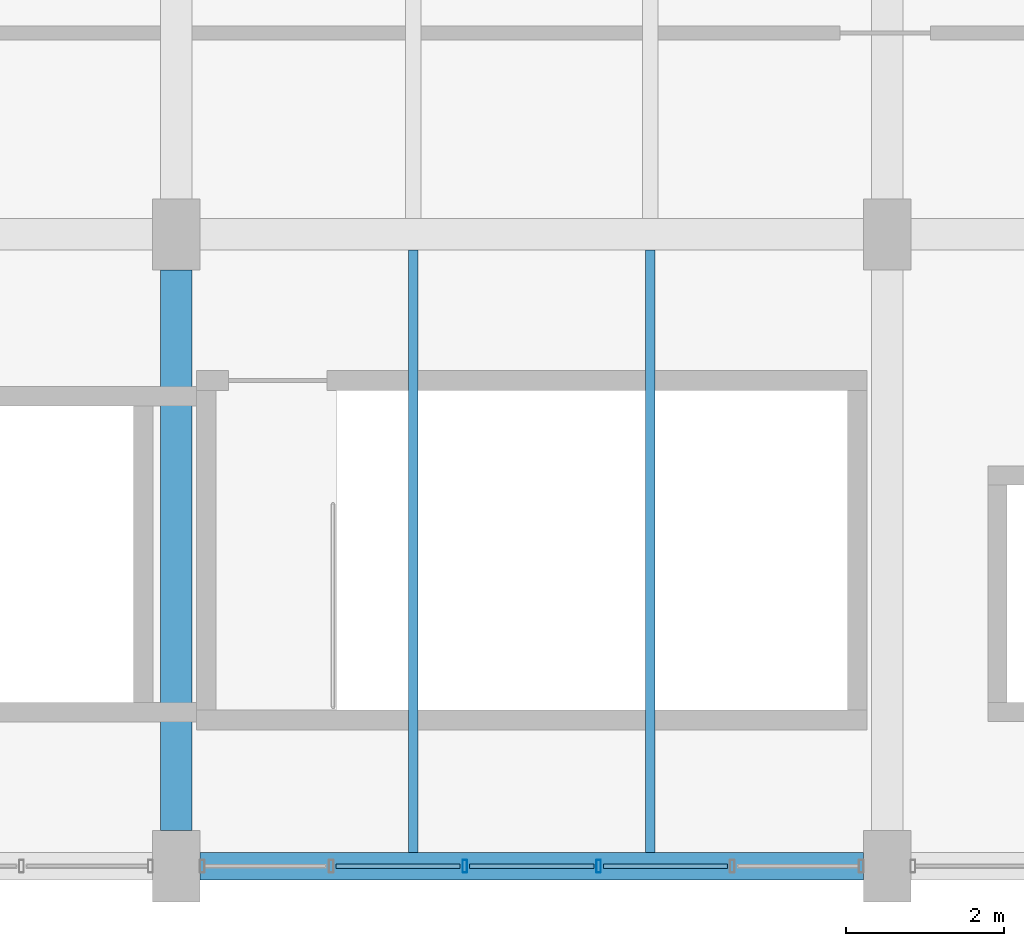
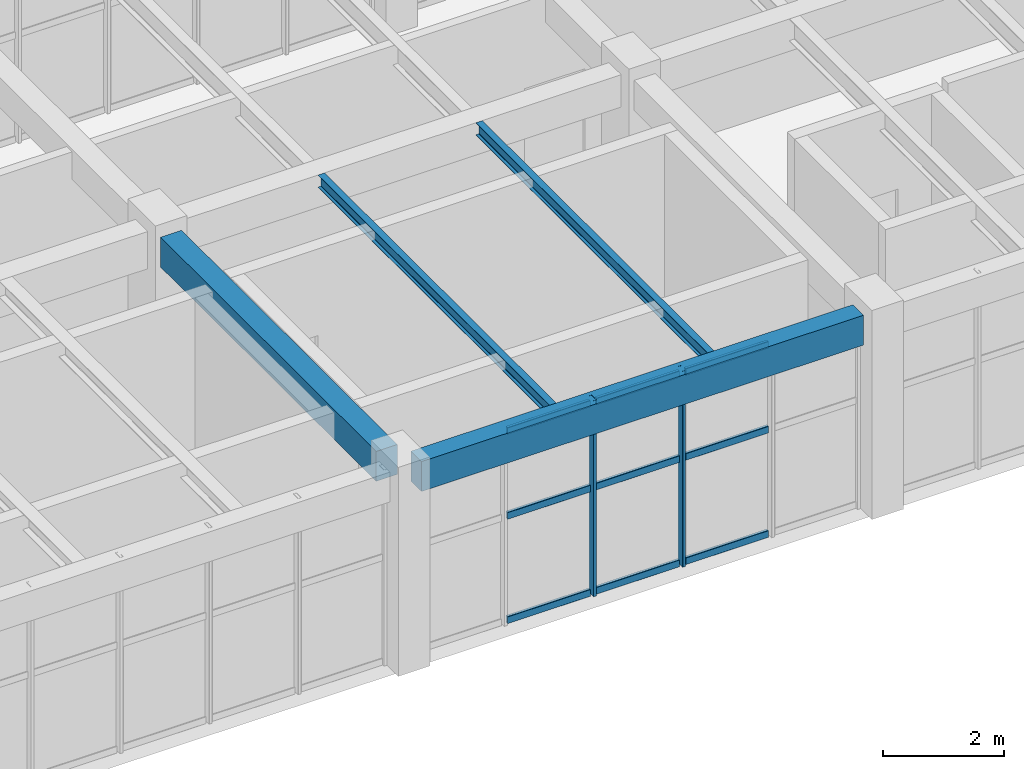
# One storey, part 10 of 148: 11 members, 4 beams, 1 element without a shape of its own.
"""IFC4 building model written with IfcOpenShell, lengths in metres."""

import ifcopenshell
import ifcopenshell.guid

model = None  # the IFC model being written
_history = None  # IfcOwnerHistory: only IFC2X3 demands one
_inside = {}  # id of a spatial element -> (the spatial element, [elements in it])
_under = {}  # id of a project, library or spatial element -> (it, [spatial elements below it])
_declared = {}  # id of a project -> (the project, [libraries it declares])
_typed = {}  # id of a type object -> (the type object, [elements of that type])
_made_of = {}  # id of a material, layer set ... -> (it, [elements and type objects made of it])


def new_model(schema):
    """Start an empty IFC model of exactly this schema.

    Asked for "IFC4X3", IfcOpenShell would pick the latest addendum, in which some entities
    have other attributes; the version numbers below select the first issue.
    IFC2X3 requires an IfcOwnerHistory on every rooted entity: one is made here for all.
    """
    global model, _history
    if schema == "IFC4X3":
        model = ifcopenshell.file(schema_version=(4, 3, 0, 0))
    else:
        model = ifcopenshell.file(schema=schema)
    _inside.clear()
    _under.clear()
    _declared.clear()
    _typed.clear()
    _made_of.clear()
    _history = None
    if model.schema == "IFC2X3":
        org = make("IfcOrganization", Name="unknown")
        user = make(
            "IfcPersonAndOrganization",
            ThePerson=make("IfcPerson", FamilyName="unknown"),
            TheOrganization=org,
        )
        app = make(
            "IfcApplication",
            ApplicationDeveloper=org,
            Version="unknown",
            ApplicationFullName="unknown",
            ApplicationIdentifier="unknown",
        )
        _history = make(
            "IfcOwnerHistory",
            OwningUser=user,
            OwningApplication=app,
            ChangeAction="ADDED",
            CreationDate=0,
        )
    return model


def make(cls, **values):
    """One entity of the class cls with the attributes given. An attribute that is None is left unset."""
    return model.create_entity(
        cls, **{name: value for name, value in values.items() if value is not None}
    )


def rooted(cls, **values):
    """An entity with a GlobalId (a new one), such as an element, a storey or a relation."""
    return make(cls, GlobalId=ifcopenshell.guid.new(), OwnerHistory=_history, **values)


def si_unit(unit_type, name, prefix=None):
    """IfcSIUnit, for example si_unit("LENGTHUNIT", "METRE", prefix="MILLI")."""
    return make("IfcSIUnit", UnitType=unit_type, Prefix=prefix, Name=name)


def derived_unit(unit_type, elements):
    """IfcDerivedUnit: a product of units, each with its exponent."""
    return make(
        "IfcDerivedUnit",
        Elements=[
            make("IfcDerivedUnitElement", Unit=unit, Exponent=power)
            for unit, power in elements
        ],
        UnitType=unit_type,
    )


def assignment(units):
    """IfcUnitAssignment: the units of a project."""
    return None if units is None else make("IfcUnitAssignment", Units=units)


def point(xyz):
    """IfcCartesianPoint."""
    return None if xyz is None else make("IfcCartesianPoint", Coordinates=xyz)


def direction(xyz):
    """IfcDirection."""
    return None if xyz is None else make("IfcDirection", DirectionRatios=xyz)


def frame(location, z_axis=None, x_axis=None):
    """IfcAxis2Placement3D, a coordinate frame: its origin and axes. An axis left out is left unset."""
    return make(
        "IfcAxis2Placement3D",
        Location=point(location),
        Axis=direction(z_axis),
        RefDirection=direction(x_axis),
    )


def frame_2d(location, x_axis=None):
    """IfcAxis2Placement2D, a coordinate frame in the plane: its origin and x axis."""
    return make(
        "IfcAxis2Placement2D", Location=point(location), RefDirection=direction(x_axis)
    )


def origin():
    """The frame at (0, 0, 0) with its axes left unset."""
    return frame((0.0, 0.0, 0.0))


def origin_2d():
    """The frame at (0, 0) in the plane with its x axis left unset."""
    return frame_2d((0.0, 0.0))


def place(relative_to, where):
    """IfcLocalPlacement: puts the frame where relative to a parent placement (None: the world)."""
    return make(
        "IfcLocalPlacement", PlacementRelTo=relative_to, RelativePlacement=where
    )


def context(
    kind, dimensions, precision=None, world=None, true_north=None, identifier=None
):
    """IfcGeometricRepresentationContext, for example the 3D "Model" context."""
    return make(
        "IfcGeometricRepresentationContext",
        ContextIdentifier=identifier,
        ContextType=kind,
        CoordinateSpaceDimension=dimensions,
        Precision=precision,
        WorldCoordinateSystem=world,
        TrueNorth=true_north,
    )


def subcontext(parent, identifier, kind, view, scale=None):
    """IfcGeometricRepresentationSubContext, for example "Body" below "Model"."""
    return make(
        "IfcGeometricRepresentationSubContext",
        ContextIdentifier=identifier,
        ContextType=kind,
        ParentContext=parent,
        TargetScale=scale,
        TargetView=view,
    )


def project(units=None, contexts=None):
    """IfcProject with its units and contexts."""
    return rooted(
        "IfcProject",
        Name="project",
        RepresentationContexts=contexts,
        UnitsInContext=assignment(units),
    )


def spatial(cls, under=None, at=None, **own):
    """A site, building, storey or space (cls), placed at a placement, below another one or the project."""
    s = rooted(cls, ObjectPlacement=at, **own)
    if under is not None:
        _under.setdefault(under.id(), (under, []))[1].append(s)
    return s


def profile(cls, at=None, kind="AREA", **sizes):
    """A parametric profile (cls). Its sizes go by their IFC names, for example OverallWidth=200.0."""
    return make(cls, ProfileType=kind, Position=at, **sizes)


def rectangle(**sizes):
    """IfcRectangleProfileDef."""
    return profile("IfcRectangleProfileDef", **sizes)


def hollow_rectangle(**sizes):
    """IfcRectangleHollowProfileDef."""
    return profile("IfcRectangleHollowProfileDef", **sizes)


def i_section(**sizes):
    """IfcIShapeProfileDef."""
    return profile("IfcIShapeProfileDef", **sizes)


def extrude(swept, where, along, depth):
    """IfcExtrudedAreaSolid: the profile swept, set in the frame where, extruded along a direction by depth."""
    return make(
        "IfcExtrudedAreaSolid",
        SweptArea=swept,
        Position=where,
        ExtrudedDirection=direction(along),
        Depth=depth,
    )


def shape(context_of_items, identifier, shape_type, items):
    """IfcShapeRepresentation: the items that make up one representation, for example the "Body"."""
    return make(
        "IfcShapeRepresentation",
        ContextOfItems=context_of_items,
        RepresentationIdentifier=identifier,
        RepresentationType=shape_type,
        Items=items,
    )


def material(Name=None, Category=None):
    """IfcMaterial."""
    return make("IfcMaterial", Name=Name, Category=Category)


def material_profile(
    of_material, cross_section, Name=None, Category=None, Priority=None
):
    """IfcMaterialProfile: a cross section and its material."""
    return make(
        "IfcMaterialProfile",
        Name=Name,
        Material=of_material,
        Profile=cross_section,
        Priority=Priority,
        Category=Category,
    )


def profile_set(profiles, Name=None, composite=None):
    """IfcMaterialProfileSet."""
    return make(
        "IfcMaterialProfileSet",
        Name=Name,
        MaterialProfiles=profiles,
        CompositeProfile=composite,
    )


def made_of(thing, what):
    """Note that an element or type object is made of a material, layer set ...; save() writes the relation."""
    if what is not None:
        _made_of.setdefault(what.id(), (what, []))[1].append(thing)
    return thing


def type_object(cls, material=None, **own):
    """A type object (cls), such as IfcWallType, which elements share."""
    return made_of(rooted(cls, **own), material)


def element(
    cls,
    number,
    at=None,
    inside=None,
    cuts=None,
    type_object=None,
    material=None,
    context=None,
    identifier="Body",
    shape_type=None,
    held_by="IfcProductDefinitionShape",
    body=None,
    shapes=None,
    **own,
):
    """One element of the class cls, such as IfcWall. Its Tag is "e" and its number.

    at: its placement. inside: the storey or other place that contains it. cuts: it is an
    opening in that element (IfcRelVoidsElement). A single representation is given by context,
    identifier, shape_type and body (its items); several are given by shapes. held_by: the class
    of the entity that holds the representations. save() writes the other relations.
    """
    e = rooted(cls, Tag="e%d" % number, ObjectPlacement=at, **own)
    if body is not None:
        shapes = [shape(context, identifier, shape_type, body)]
    if shapes is not None:
        e.Representation = make(held_by, Representations=shapes)
    if inside is not None:
        _inside.setdefault(inside.id(), (inside, []))[1].append(e)
    if cuts is not None:
        rooted(
            "IfcRelVoidsElement", RelatingBuildingElement=cuts, RelatedOpeningElement=e
        )
    if type_object is not None:
        _typed.setdefault(type_object.id(), (type_object, []))[1].append(e)
    return made_of(e, material)


def aggregate(whole, parts):
    """IfcRelAggregates: a whole, such as a stair, and the parts it consists of."""
    return rooted("IfcRelAggregates", RelatingObject=whole, RelatedObjects=parts)


def save(model, path):
    """Write the relations noted so far, then the file.

    IfcRelAggregates (storeys below a building ...), IfcRelContainedInSpatialStructure (elements
    in a storey), IfcRelDefinesByType, IfcRelAssociatesMaterial and IfcRelDeclares: one each for
    every whole, place, type object, material and project.
    """
    for whole, parts in _under.values():
        aggregate(whole, parts)
    for where, things in _inside.values():
        rooted(
            "IfcRelContainedInSpatialStructure",
            RelatedElements=things,
            RelatingStructure=where,
        )
    for kind, things in _typed.values():
        rooted("IfcRelDefinesByType", RelatedObjects=things, RelatingType=kind)
    for what, things in _made_of.values():
        rooted("IfcRelAssociatesMaterial", RelatedObjects=things, RelatingMaterial=what)
    for by, libraries in _declared.values():
        rooted("IfcRelDeclares", RelatingContext=by, RelatedDefinitions=libraries)
    model.write(path)


model = new_model("IFC4")

# Units and contexts
model_context = context("Model", 3, precision=1e-05, world=origin(), true_north=direction((0.0, 1.0)))
body_context = subcontext(model_context, "Body", "Model", "MODEL_VIEW")
ifc_project = project(units=[si_unit("LENGTHUNIT", "METRE"), si_unit("AREAUNIT", "SQUARE_METRE"), si_unit("VOLUMEUNIT", "CUBIC_METRE"), si_unit("PLANEANGLEUNIT", "RADIAN"), si_unit("MASSUNIT", "GRAM", prefix="KILO"), derived_unit("THERMALTRANSMITTANCEUNIT", [(si_unit("MASSUNIT", "GRAM", prefix="KILO"), 1), (si_unit("TIMEUNIT", "SECOND"), -3), (si_unit("THERMODYNAMICTEMPERATUREUNIT", "KELVIN"), -1)])], contexts=[model_context])

# Site, building, storey
site_placement = place(None, origin())
site = spatial("IfcSite", under=ifc_project, at=site_placement, CompositionType="ELEMENT")
building_placement = place(site_placement, origin())
building = spatial("IfcBuilding", under=site, at=building_placement, Name="Zhenchuan Archway Interchange", CompositionType="ELEMENT")
storey_placement = place(building_placement, frame((0.0, 0.0, 10.199951171875)))
storey = spatial("IfcBuildingStorey", under=building, at=storey_placement, Name="L02", CompositionType="ELEMENT", Elevation=10.199951171875)

# Beam
ifc_material_1 = material(Name="Concrete C40", Category="concrete")
ifc_material_profile_1 = material_profile(ifc_material_1, rectangle(XDim=0.39990234375, YDim=0.60009765625, at=origin_2d()), Name="RC 400x600")
ifc_profile_set_1 = profile_set([ifc_material_profile_1], Name="Concrete C40")
beam_type_1 = type_object("IfcBeamType", Name="BM_RC_400x600", PredefinedType="BEAM", material=ifc_profile_set_1)
beam_1_placement = place(storey_placement, frame((9.0, 0.449951171875, 3.64013671875), z_axis=(0.0, 1.0, 0.0), x_axis=(-1.0, 0.0, 0.0)))
element("IfcBeam", 1, at=beam_1_placement, inside=storey, type_object=beam_type_1, Name="Beam 2:A-B (L02)", PredefinedType="BEAM", context=body_context, shape_type="SweptSolid", body=[
    extrude(rectangle(XDim=0.39990234375, YDim=0.60009765625, at=origin_2d()), origin(), (0.0, 0.0, 1.0), 7.10009765625),
])

# Curtain wall, members
ifc_material_2 = material(Name="Anodised Aluminium", Category="aluminium")
curtain_wall_type = type_object("IfcCurtainWallType", Name="CW_UNIT_4", PredefinedType="NOTDEFINED", material=ifc_material_2)
curtain_wall_placement = place(storey_placement, origin())
curtain_wall = element("IfcCurtainWall", 2, at=curtain_wall_placement, inside=storey, type_object=curtain_wall_type, Name="Unitised curtain wall CW:L02:107", PredefinedType="NOTDEFINED")
ifc_material_profile_2 = material_profile(ifc_material_2, hollow_rectangle(XDim=0.06005859375, YDim=0.159912109375, WallThickness=0.00390625, InnerFilletRadius=0.00390625, OuterFilletRadius=0.008056640625, at=origin_2d()), Name="ALU 160x60x4")
ifc_profile_set_2 = profile_set([ifc_material_profile_2], Name="Anodised Aluminium")
member_type_1 = type_object("IfcMemberType", Name="CW_MUL_150", PredefinedType="MULLION", material=ifc_profile_set_2)
member_1_placement = place(storey_placement, frame((14.346435546875, 0.0, 0.0), z_axis=(0.0, 0.0, 1.0), x_axis=(1.0, 0.0, 0.0)))
member_1 = element("IfcMember", 3, at=member_1_placement, type_object=member_type_1, Name="CW:L02:107 mullion 2", PredefinedType="MULLION", context=body_context, shape_type="SweptSolid", body=[
    extrude(hollow_rectangle(XDim=0.06005859375, YDim=0.159912109375, WallThickness=0.00390625, InnerFilletRadius=0.00390625, OuterFilletRadius=0.008056640625, at=origin_2d()), origin(), (0.0, 0.0, 1.0), 3.93994140625),
])
member_2_placement = place(storey_placement, frame((12.653564453125, 0.0, 0.0), z_axis=(0.0, 0.0, 1.0), x_axis=(1.0, 0.0, 0.0)))
member_2 = element("IfcMember", 4, at=member_2_placement, type_object=member_type_1, Name="CW:L02:107 mullion 3", PredefinedType="MULLION", context=body_context, shape_type="SweptSolid", body=[
    extrude(hollow_rectangle(XDim=0.06005859375, YDim=0.159912109375, WallThickness=0.00390625, InnerFilletRadius=0.00390625, OuterFilletRadius=0.008056640625, at=origin_2d()), origin(), (0.0, 0.0, 1.0), 3.93994140625),
])
ifc_material_profile_3 = material_profile(ifc_material_2, hollow_rectangle(XDim=0.06005859375, YDim=0.139892578125, WallThickness=0.00341796875, InnerFilletRadius=0.00341796875, OuterFilletRadius=0.007080078125, at=origin_2d()), Name="ALU 140x60x3.5")
ifc_profile_set_3 = profile_set([ifc_material_profile_3], Name="Anodised Aluminium")
member_type_2 = type_object("IfcMemberType", Name="CW_TRN_140", PredefinedType="USERDEFINED", material=ifc_profile_set_3)
member_3_placement = place(storey_placement, frame((15.979248046875, 0.0, 0.06005859375), z_axis=(-1.0, 0.0, 0.0), x_axis=(0.0, -1.0, 0.0)))
member_3 = element("IfcMember", 5, at=member_3_placement, type_object=member_type_2, Name="CW:L02:107 transom 1-1", ObjectType="TRANSOM", PredefinedType="USERDEFINED", context=body_context, shape_type="SweptSolid", body=[
    extrude(hollow_rectangle(XDim=0.06005859375, YDim=0.139892578125, WallThickness=0.00341796875, InnerFilletRadius=0.00341796875, OuterFilletRadius=0.007080078125, at=origin_2d()), origin(), (0.0, 0.0, 1.0), 1.57275390625),
])
member_4_placement = place(storey_placement, frame((15.979248046875, 0.0, 2.156005859375), z_axis=(-1.0, 0.0, 0.0), x_axis=(0.0, -1.0, 0.0)))
member_4 = element("IfcMember", 6, at=member_4_placement, type_object=member_type_2, Name="CW:L02:107 transom 1-2", ObjectType="TRANSOM", PredefinedType="USERDEFINED", context=body_context, shape_type="SweptSolid", body=[
    extrude(hollow_rectangle(XDim=0.06005859375, YDim=0.139892578125, WallThickness=0.00341796875, InnerFilletRadius=0.00341796875, OuterFilletRadius=0.007080078125, at=origin_2d()), origin(), (0.0, 0.0, 1.0), 1.57275390625),
])
member_5_placement = place(storey_placement, frame((15.979248046875, 0.0, 3.860107421875), z_axis=(-1.0, 0.0, 0.0), x_axis=(0.0, -1.0, 0.0)))
member_5 = element("IfcMember", 7, at=member_5_placement, type_object=member_type_2, Name="CW:L02:107 transom 1-3", ObjectType="TRANSOM", PredefinedType="USERDEFINED", context=body_context, shape_type="SweptSolid", body=[
    extrude(hollow_rectangle(XDim=0.06005859375, YDim=0.139892578125, WallThickness=0.00341796875, InnerFilletRadius=0.00341796875, OuterFilletRadius=0.007080078125, at=origin_2d()), origin(), (0.0, 0.0, 1.0), 1.57275390625),
])
member_6_placement = place(storey_placement, frame((14.286376953125, 0.0, 0.06005859375), z_axis=(-1.0, 0.0, 0.0), x_axis=(0.0, -1.0, 0.0)))
member_6 = element("IfcMember", 8, at=member_6_placement, type_object=member_type_2, Name="CW:L02:107 transom 2-1", ObjectType="TRANSOM", PredefinedType="USERDEFINED", context=body_context, shape_type="SweptSolid", body=[
    extrude(hollow_rectangle(XDim=0.06005859375, YDim=0.139892578125, WallThickness=0.00341796875, InnerFilletRadius=0.00341796875, OuterFilletRadius=0.007080078125, at=origin_2d()), origin(), (0.0, 0.0, 1.0), 1.57275390625),
])
member_7_placement = place(storey_placement, frame((14.286376953125, 0.0, 2.156005859375), z_axis=(-1.0, 0.0, 0.0), x_axis=(0.0, -1.0, 0.0)))
member_7 = element("IfcMember", 9, at=member_7_placement, type_object=member_type_2, Name="CW:L02:107 transom 2-2", ObjectType="TRANSOM", PredefinedType="USERDEFINED", context=body_context, shape_type="SweptSolid", body=[
    extrude(hollow_rectangle(XDim=0.06005859375, YDim=0.139892578125, WallThickness=0.00341796875, InnerFilletRadius=0.00341796875, OuterFilletRadius=0.007080078125, at=origin_2d()), origin(), (0.0, 0.0, 1.0), 1.57275390625),
])
member_8_placement = place(storey_placement, frame((14.286376953125, 0.0, 3.860107421875), z_axis=(-1.0, 0.0, 0.0), x_axis=(0.0, -1.0, 0.0)))
member_8 = element("IfcMember", 10, at=member_8_placement, type_object=member_type_2, Name="CW:L02:107 transom 2-3", ObjectType="TRANSOM", PredefinedType="USERDEFINED", context=body_context, shape_type="SweptSolid", body=[
    extrude(hollow_rectangle(XDim=0.06005859375, YDim=0.139892578125, WallThickness=0.00341796875, InnerFilletRadius=0.00341796875, OuterFilletRadius=0.007080078125, at=origin_2d()), origin(), (0.0, 0.0, 1.0), 1.57275390625),
])
member_9_placement = place(storey_placement, frame((12.593505859375, 0.0, 0.06005859375), z_axis=(-1.0, 0.0, 0.0), x_axis=(0.0, -1.0, 0.0)))
member_9 = element("IfcMember", 11, at=member_9_placement, type_object=member_type_2, Name="CW:L02:107 transom 3-1", ObjectType="TRANSOM", PredefinedType="USERDEFINED", context=body_context, shape_type="SweptSolid", body=[
    extrude(hollow_rectangle(XDim=0.06005859375, YDim=0.139892578125, WallThickness=0.00341796875, InnerFilletRadius=0.00341796875, OuterFilletRadius=0.007080078125, at=origin_2d()), origin(), (0.0, 0.0, 1.0), 1.57275390625),
])
member_10_placement = place(storey_placement, frame((12.593505859375, 0.0, 2.156005859375), z_axis=(-1.0, 0.0, 0.0), x_axis=(0.0, -1.0, 0.0)))
member_10 = element("IfcMember", 12, at=member_10_placement, type_object=member_type_2, Name="CW:L02:107 transom 3-2", ObjectType="TRANSOM", PredefinedType="USERDEFINED", context=body_context, shape_type="SweptSolid", body=[
    extrude(hollow_rectangle(XDim=0.06005859375, YDim=0.139892578125, WallThickness=0.00341796875, InnerFilletRadius=0.00341796875, OuterFilletRadius=0.007080078125, at=origin_2d()), origin(), (0.0, 0.0, 1.0), 1.57275390625),
])
member_11_placement = place(storey_placement, frame((12.593505859375, 0.0, 3.860107421875), z_axis=(-1.0, 0.0, 0.0), x_axis=(0.0, -1.0, 0.0)))
member_11 = element("IfcMember", 13, at=member_11_placement, type_object=member_type_2, Name="CW:L02:107 transom 3-3", ObjectType="TRANSOM", PredefinedType="USERDEFINED", context=body_context, shape_type="SweptSolid", body=[
    extrude(hollow_rectangle(XDim=0.06005859375, YDim=0.139892578125, WallThickness=0.00341796875, InnerFilletRadius=0.00341796875, OuterFilletRadius=0.007080078125, at=origin_2d()), origin(), (0.0, 0.0, 1.0), 1.57275390625),
])
aggregate(curtain_wall, [member_1, member_2, member_3, member_4, member_5, member_6, member_7, member_8, member_9, member_10, member_11])

# Beams
ifc_material_3 = material(Name="Steel Q355", Category="steel")
ifc_material_profile_4 = material_profile(ifc_material_3, i_section(OverallWidth=0.125, OverallDepth=0.25, WebThickness=0.006103515625, FlangeThickness=0.009033203125, FilletRadius=0.011962890625, at=origin_2d()), Name="HN 250x125")
ifc_profile_set_4 = profile_set([ifc_material_profile_4], Name="Steel Q355")
beam_type_2 = type_object("IfcBeamType", Name="JST_STL_HN250", PredefinedType="JOIST", material=ifc_profile_set_4)
for number, where, z_axis, x_axis, name in (
    (14, (12.0, 0.175048828125, 3.81494140625), (0.0, 1.0, 0.0), (-1.0, 0.0, 0.0), "Secondary joist 2-3/A-B #1 (L02)"),
    (15, (15.0, 0.175048828125, 3.81494140625), (0.0, 1.0, 0.0), (-1.0, 0.0, 0.0), "Secondary joist 2-3/A-B #2 (L02)"),
):
    element("IfcBeam", number, at=place(storey_placement, frame(where, z_axis=z_axis, x_axis=x_axis)), inside=storey, type_object=beam_type_2, Name=name, PredefinedType="JOIST", context=body_context, shape_type="SweptSolid", body=[
        extrude(i_section(OverallWidth=0.125, OverallDepth=0.25, WebThickness=0.006103515625, FlangeThickness=0.009033203125, FilletRadius=0.011962890625, at=origin_2d()), origin(), (0.0, 0.0, 1.0), 7.625),
    ])
ifc_material_profile_5 = material_profile(ifc_material_1, rectangle(XDim=0.35009765625, YDim=0.60009765625, at=origin_2d()), Name="RC 350x600")
ifc_profile_set_5 = profile_set([ifc_material_profile_5], Name="Concrete C40")
beam_type_3 = type_object("IfcBeamType", Name="SP_RC_350x600", PredefinedType="SPANDREL", material=ifc_profile_set_5)
beam_2_placement = place(storey_placement, frame((9.300048828125, 0.0, 3.64013671875), z_axis=(1.0, 0.0, 0.0), x_axis=(0.0, 1.0, 0.0)))
element("IfcBeam", 16, at=beam_2_placement, inside=storey, type_object=beam_type_3, Name="Beam A:2-3 (L02)", PredefinedType="SPANDREL", context=body_context, shape_type="SweptSolid", body=[
    extrude(rectangle(XDim=0.35009765625, YDim=0.60009765625, at=origin_2d()), origin(), (0.0, 0.0, 1.0), 8.39990234375),
])

save(model, "model.ifc")
